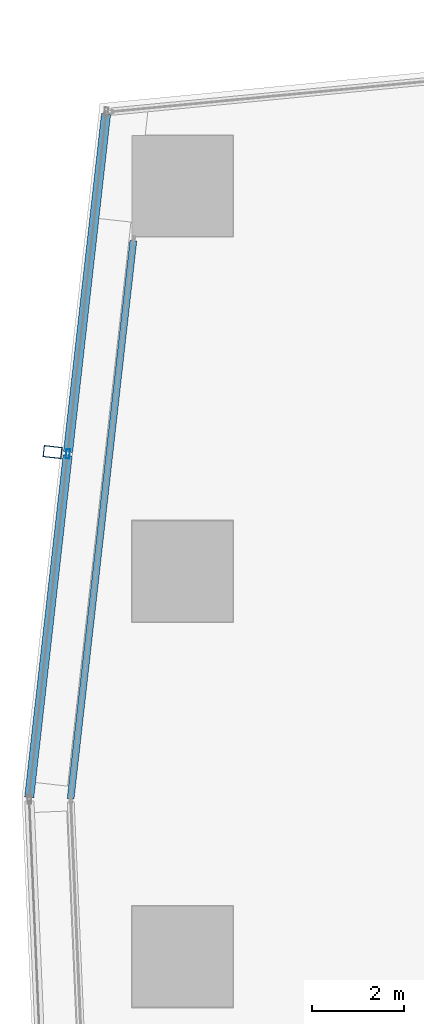
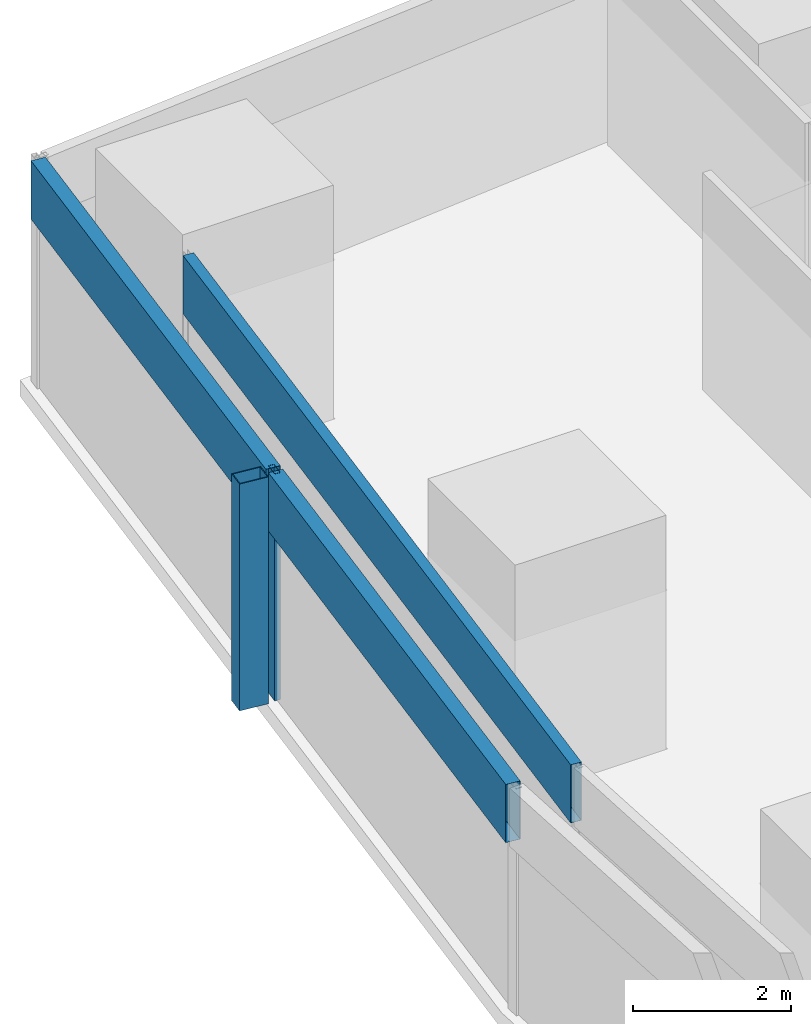
# One storey, part 15 of 44: 5 members, 2 elements without a shape of their own.
"""IFC4 building model written with IfcOpenShell, lengths in metres."""

from ifc_helpers import new_model, si_unit, direction, frame, origin, origin_2d, place, context, subcontext, project, spatial, hollow_rectangle, extrude, material, material_profile, profile_set, type_object, element, aggregate, save


model = new_model("IFC4")

# Units and contexts
model_context = context("Model", 3, precision=1e-05, world=origin(), true_north=direction((0.0, 1.0)))
body_context = subcontext(model_context, "Body", "Model", "MODEL_VIEW")
ifc_project = project(units=[si_unit("LENGTHUNIT", "METRE"), si_unit("AREAUNIT", "SQUARE_METRE"), si_unit("VOLUMEUNIT", "CUBIC_METRE"), si_unit("PLANEANGLEUNIT", "RADIAN"), si_unit("MASSUNIT", "GRAM", prefix="KILO")], contexts=[model_context])

# Site, building, storey
site_placement = place(None, origin())
site = spatial("IfcSite", under=ifc_project, at=site_placement, CompositionType="ELEMENT")
building_placement = place(site_placement, origin())
building = spatial("IfcBuilding", under=site, at=building_placement, Name="Rekha Terrace Tower", CompositionType="ELEMENT")
storey_placement = place(building_placement, frame((0.0, 0.0, 62.89990234375)))
storey = spatial("IfcBuildingStorey", under=building, at=storey_placement, Name="L15", CompositionType="ELEMENT", Elevation=62.89990234375)

# Curtain wall, member
ifc_material_1 = material(Name="Aluminium framing", Category="aluminium")
curtain_wall_type_1 = type_object("IfcCurtainWallType", Name="CW2 double skin outer glazing", PredefinedType="USERDEFINED", material=ifc_material_1)
curtain_wall_1_placement = place(storey_placement, origin())
curtain_wall_1 = element("IfcCurtainWall", 1, at=curtain_wall_1_placement, inside=storey, type_object=curtain_wall_type_1, Name="CW2 double skin outer glazing", ObjectType="DOUBLE SKIN OUTER GLAZING", PredefinedType="USERDEFINED")
ifc_material_2 = material(Name="Steel S355 with fluorocarbon finish", Category="steel")
ifc_material_profile_1 = material_profile(ifc_material_2, hollow_rectangle(XDim=0.25, YDim=0.39990234375, WallThickness=0.012451171875, at=origin_2d()), Name="RHS400x250x12.5")
ifc_profile_set_1 = profile_set([ifc_material_profile_1], Name="Steel S355 with fluorocarbon finish")
member_type_1 = type_object("IfcMemberType", Name="BL1 facade blade RHS 400 x 250", PredefinedType="USERDEFINED", material=ifc_profile_set_1)
member_1_placement = place(storey_placement, frame((5.569580078125, 53.001220703125, 0.0), z_axis=(0.0, 0.0, 1.0), x_axis=(-0.111729096216, -0.993738702607, 0.0)))
member_1 = element("IfcMember", 2, at=member_1_placement, type_object=member_type_1, Name="Facade blade", ObjectType="FACADE BLADE", PredefinedType="USERDEFINED", context=body_context, shape_type="SweptSolid", body=[
    extrude(hollow_rectangle(XDim=0.25, YDim=0.39990234375, WallThickness=0.012451171875, at=origin_2d()), origin(), (0.0, 0.0, 1.0), 3.5),
])

curtain_wall_type_2 = type_object("IfcCurtainWallType", Name="CW1 double skin inner glazing", PredefinedType="USERDEFINED", material=ifc_material_1)
curtain_wall_2_placement = place(storey_placement, origin())
curtain_wall_2 = element("IfcCurtainWall", 3, at=curtain_wall_2_placement, inside=storey, type_object=curtain_wall_type_2, Name="CW1 double skin inner glazing", ObjectType="DOUBLE SKIN INNER GLAZING", PredefinedType="USERDEFINED")
ifc_material_3 = material(Name="Insulated aluminium spandrel box", Category="aluminium")
ifc_material_profile_2 = material_profile(ifc_material_3, hollow_rectangle(XDim=0.14990234375, YDim=0.89990234375, WallThickness=0.0029296875, at=origin_2d()), Name="AL SPANDREL BOX 150x900")
ifc_profile_set_2 = profile_set([ifc_material_profile_2], Name="Insulated aluminium spandrel box")
member_type_2 = type_object("IfcMemberType", Name="CW1 spandrel transom 150 x 900", PredefinedType="USERDEFINED", material=ifc_profile_set_2)
member_2_placement = place(storey_placement, frame((7.33056640625, 57.611083984375, 3.050048828125), z_axis=(-0.111720442276, -0.993739675558, 0.0), x_axis=(0.993739675558, -0.111720442276, 0.0)))
member_2 = element("IfcMember", 4, at=member_2_placement, type_object=member_type_2, Name="CW1 spandrel transom 1", ObjectType="TRANSOM", PredefinedType="USERDEFINED", context=body_context, shape_type="SweptSolid", body=[
    extrude(hollow_rectangle(XDim=0.14990234375, YDim=0.89990234375, WallThickness=0.0029296875, at=origin_2d()), origin(), (0.0, 0.0, 1.0), 12.244140625),
])
aggregate(curtain_wall_2, [member_2])

# Member
ifc_material_4 = material(Name="Aluminium mullion section", Category="aluminium")
ifc_material_profile_3 = material_profile(ifc_material_4, hollow_rectangle(XDim=0.080078125, YDim=0.199951171875, WallThickness=0.00390625, at=origin_2d()), Name="AL RHS 80x200")
ifc_profile_set_3 = profile_set([ifc_material_profile_3], Name="Aluminium mullion section")
member_type_3 = type_object("IfcMemberType", Name="CW2 mullion RHS 80 x 200", PredefinedType="MULLION", material=ifc_profile_set_3)
member_3_placement = place(storey_placement, frame((5.90234375, 52.9638671875, 0.0), z_axis=(0.0, 0.0, 1.0), x_axis=(0.99373861552, -0.111729870782, 0.0)))
member_3 = element("IfcMember", 5, at=member_3_placement, type_object=member_type_3, Name="CW2 mullion 2", PredefinedType="MULLION", context=body_context, shape_type="SweptSolid", body=[
    extrude(hollow_rectangle(XDim=0.080078125, YDim=0.199951171875, WallThickness=0.00390625, at=origin_2d()), origin(), (0.0, 0.0, 1.0), 3.5),
])

ifc_material_profile_4 = material_profile(ifc_material_3, hollow_rectangle(XDim=0.199951171875, YDim=0.89990234375, WallThickness=0.0029296875, at=origin_2d()), Name="AL SPANDREL BOX 200x900")
ifc_profile_set_4 = profile_set([ifc_material_profile_4], Name="Insulated aluminium spandrel box")
member_type_4 = type_object("IfcMemberType", Name="CW2 spandrel transom 200 x 900", PredefinedType="USERDEFINED", material=ifc_profile_set_4)
member_4_placement = place(storey_placement, frame((6.735595703125, 60.37353515625, 3.050048828125), z_axis=(-0.111728537773, -0.993738765394, 0.0), x_axis=(0.993738765394, -0.111728537773, 0.0)))
member_4 = element("IfcMember", 6, at=member_4_placement, type_object=member_type_4, Name="CW2 spandrel transom 1", ObjectType="TRANSOM", PredefinedType="USERDEFINED", context=body_context, shape_type="SweptSolid", body=[
    extrude(hollow_rectangle(XDim=0.199951171875, YDim=0.89990234375, WallThickness=0.0029296875, at=origin_2d()), origin(), (0.0, 0.0, 1.0), 7.416259765625),
])

member_5_placement = place(storey_placement, frame((5.89794921875, 52.924072265625, 3.050048828125), z_axis=(-0.111739697795, -0.993737510582, 0.0), x_axis=(0.993737510582, -0.111739697795, 0.0)))
member_5 = element("IfcMember", 7, at=member_5_placement, type_object=member_type_4, Name="CW2 spandrel transom 2", ObjectType="TRANSOM", PredefinedType="USERDEFINED", context=body_context, shape_type="SweptSolid", body=[
    extrude(hollow_rectangle(XDim=0.199951171875, YDim=0.89990234375, WallThickness=0.0029296875, at=origin_2d()), origin(), (0.0, 0.0, 1.0), 7.496337890625),
])

aggregate(curtain_wall_1, [member_3, member_4, member_5, member_1])

save(model, "model.ifc")
